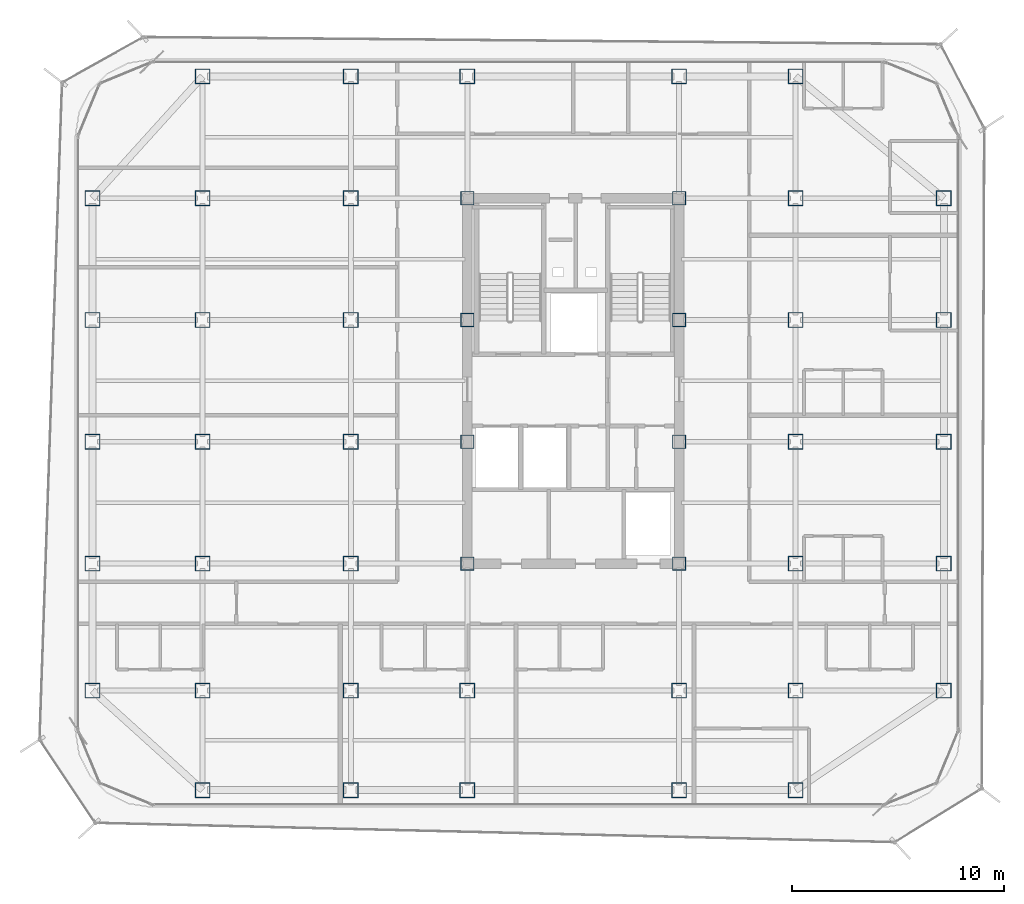
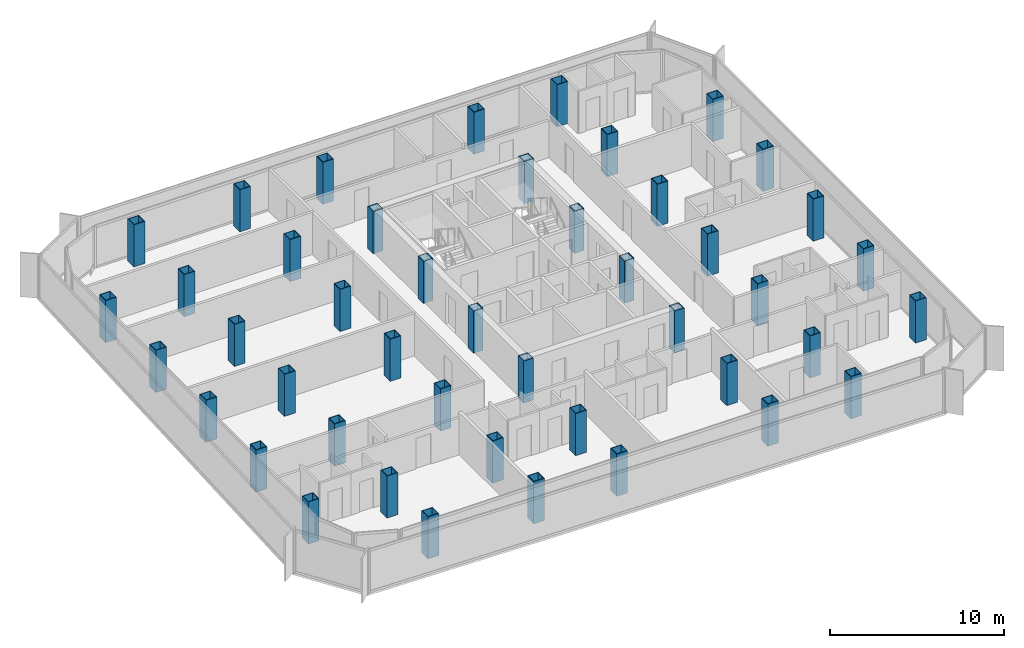
# One storey, part 1 of 15: 45 columns.
"""IFC4 building model written with IfcOpenShell, lengths in metres."""

import ifcopenshell
import ifcopenshell.guid

model = None  # the IFC model being written
_history = None  # IfcOwnerHistory: only IFC2X3 demands one
_inside = {}  # id of a spatial element -> (the spatial element, [elements in it])
_under = {}  # id of a project, library or spatial element -> (it, [spatial elements below it])
_declared = {}  # id of a project -> (the project, [libraries it declares])
_typed = {}  # id of a type object -> (the type object, [elements of that type])
_made_of = {}  # id of a material, layer set ... -> (it, [elements and type objects made of it])


def new_model(schema):
    """Start an empty IFC model of exactly this schema.

    Asked for "IFC4X3", IfcOpenShell would pick the latest addendum, in which some entities
    have other attributes; the version numbers below select the first issue.
    IFC2X3 requires an IfcOwnerHistory on every rooted entity: one is made here for all.
    """
    global model, _history
    if schema == "IFC4X3":
        model = ifcopenshell.file(schema_version=(4, 3, 0, 0))
    else:
        model = ifcopenshell.file(schema=schema)
    _inside.clear()
    _under.clear()
    _declared.clear()
    _typed.clear()
    _made_of.clear()
    _history = None
    if model.schema == "IFC2X3":
        org = make("IfcOrganization", Name="unknown")
        user = make(
            "IfcPersonAndOrganization",
            ThePerson=make("IfcPerson", FamilyName="unknown"),
            TheOrganization=org,
        )
        app = make(
            "IfcApplication",
            ApplicationDeveloper=org,
            Version="unknown",
            ApplicationFullName="unknown",
            ApplicationIdentifier="unknown",
        )
        _history = make(
            "IfcOwnerHistory",
            OwningUser=user,
            OwningApplication=app,
            ChangeAction="ADDED",
            CreationDate=0,
        )
    return model


def make(cls, **values):
    """One entity of the class cls with the attributes given. An attribute that is None is left unset."""
    return model.create_entity(
        cls, **{name: value for name, value in values.items() if value is not None}
    )


def rooted(cls, **values):
    """An entity with a GlobalId (a new one), such as an element, a storey or a relation."""
    return make(cls, GlobalId=ifcopenshell.guid.new(), OwnerHistory=_history, **values)


def si_unit(unit_type, name, prefix=None):
    """IfcSIUnit, for example si_unit("LENGTHUNIT", "METRE", prefix="MILLI")."""
    return make("IfcSIUnit", UnitType=unit_type, Prefix=prefix, Name=name)


def assignment(units):
    """IfcUnitAssignment: the units of a project."""
    return None if units is None else make("IfcUnitAssignment", Units=units)


def point(xyz):
    """IfcCartesianPoint."""
    return None if xyz is None else make("IfcCartesianPoint", Coordinates=xyz)


def direction(xyz):
    """IfcDirection."""
    return None if xyz is None else make("IfcDirection", DirectionRatios=xyz)


def frame(location, z_axis=None, x_axis=None):
    """IfcAxis2Placement3D, a coordinate frame: its origin and axes. An axis left out is left unset."""
    return make(
        "IfcAxis2Placement3D",
        Location=point(location),
        Axis=direction(z_axis),
        RefDirection=direction(x_axis),
    )


def frame_2d(location, x_axis=None):
    """IfcAxis2Placement2D, a coordinate frame in the plane: its origin and x axis."""
    return make(
        "IfcAxis2Placement2D", Location=point(location), RefDirection=direction(x_axis)
    )


def origin():
    """The frame at (0, 0, 0) with its axes left unset."""
    return frame((0.0, 0.0, 0.0))


def origin_2d():
    """The frame at (0, 0) in the plane with its x axis left unset."""
    return frame_2d((0.0, 0.0))


def place(relative_to, where):
    """IfcLocalPlacement: puts the frame where relative to a parent placement (None: the world)."""
    return make(
        "IfcLocalPlacement", PlacementRelTo=relative_to, RelativePlacement=where
    )


def context(
    kind, dimensions, precision=None, world=None, true_north=None, identifier=None
):
    """IfcGeometricRepresentationContext, for example the 3D "Model" context."""
    return make(
        "IfcGeometricRepresentationContext",
        ContextIdentifier=identifier,
        ContextType=kind,
        CoordinateSpaceDimension=dimensions,
        Precision=precision,
        WorldCoordinateSystem=world,
        TrueNorth=true_north,
    )


def subcontext(parent, identifier, kind, view, scale=None):
    """IfcGeometricRepresentationSubContext, for example "Body" below "Model"."""
    return make(
        "IfcGeometricRepresentationSubContext",
        ContextIdentifier=identifier,
        ContextType=kind,
        ParentContext=parent,
        TargetScale=scale,
        TargetView=view,
    )


def project(units=None, contexts=None):
    """IfcProject with its units and contexts."""
    return rooted(
        "IfcProject",
        Name="project",
        RepresentationContexts=contexts,
        UnitsInContext=assignment(units),
    )


def spatial(cls, under=None, at=None, **own):
    """A site, building, storey or space (cls), placed at a placement, below another one or the project."""
    s = rooted(cls, ObjectPlacement=at, **own)
    if under is not None:
        _under.setdefault(under.id(), (under, []))[1].append(s)
    return s


def profile(cls, at=None, kind="AREA", **sizes):
    """A parametric profile (cls). Its sizes go by their IFC names, for example OverallWidth=200.0."""
    return make(cls, ProfileType=kind, Position=at, **sizes)


def hollow_rectangle(**sizes):
    """IfcRectangleHollowProfileDef."""
    return profile("IfcRectangleHollowProfileDef", **sizes)


def extrude(swept, where, along, depth):
    """IfcExtrudedAreaSolid: the profile swept, set in the frame where, extruded along a direction by depth."""
    return make(
        "IfcExtrudedAreaSolid",
        SweptArea=swept,
        Position=where,
        ExtrudedDirection=direction(along),
        Depth=depth,
    )


def shape(context_of_items, identifier, shape_type, items):
    """IfcShapeRepresentation: the items that make up one representation, for example the "Body"."""
    return make(
        "IfcShapeRepresentation",
        ContextOfItems=context_of_items,
        RepresentationIdentifier=identifier,
        RepresentationType=shape_type,
        Items=items,
    )


def source(mapping_origin, context_of_items, identifier, shape_type, items):
    """IfcRepresentationMap: a shape defined once, which mapped items show again and again."""
    return make(
        "IfcRepresentationMap",
        MappingOrigin=mapping_origin,
        MappedRepresentation=shape(context_of_items, identifier, shape_type, items),
    )


def transform(
    local_origin,
    x_axis=None,
    y_axis=None,
    z_axis=None,
    scale=None,
    scale2=None,
    scale3=None,
    uniform=True,
):
    """IfcCartesianTransformationOperator3D, or its non-uniform kind. x_axis, y_axis, z_axis: its Axis1, 2, 3."""
    if uniform:
        return make(
            "IfcCartesianTransformationOperator3D",
            Axis1=direction(x_axis),
            Axis2=direction(y_axis),
            LocalOrigin=point(local_origin),
            Scale=scale,
            Axis3=direction(z_axis),
        )
    return make(
        "IfcCartesianTransformationOperator3DnonUniform",
        Axis1=direction(x_axis),
        Axis2=direction(y_axis),
        LocalOrigin=point(local_origin),
        Scale=scale,
        Axis3=direction(z_axis),
        Scale2=scale2,
        Scale3=scale3,
    )


def mapped(mapping_source, mapping_target):
    """IfcMappedItem: shows the shape of a source again, moved by a transform."""
    return make(
        "IfcMappedItem", MappingSource=mapping_source, MappingTarget=mapping_target
    )


def material(Name=None, Category=None):
    """IfcMaterial."""
    return make("IfcMaterial", Name=Name, Category=Category)


def material_profile(
    of_material, cross_section, Name=None, Category=None, Priority=None
):
    """IfcMaterialProfile: a cross section and its material."""
    return make(
        "IfcMaterialProfile",
        Name=Name,
        Material=of_material,
        Profile=cross_section,
        Priority=Priority,
        Category=Category,
    )


def profile_set(profiles, Name=None, composite=None):
    """IfcMaterialProfileSet."""
    return make(
        "IfcMaterialProfileSet",
        Name=Name,
        MaterialProfiles=profiles,
        CompositeProfile=composite,
    )


def made_of(thing, what):
    """Note that an element or type object is made of a material, layer set ...; save() writes the relation."""
    if what is not None:
        _made_of.setdefault(what.id(), (what, []))[1].append(thing)
    return thing


def type_object(cls, material=None, **own):
    """A type object (cls), such as IfcWallType, which elements share."""
    return made_of(rooted(cls, **own), material)


def element(
    cls,
    number,
    at=None,
    inside=None,
    cuts=None,
    type_object=None,
    material=None,
    context=None,
    identifier="Body",
    shape_type=None,
    held_by="IfcProductDefinitionShape",
    body=None,
    shapes=None,
    **own,
):
    """One element of the class cls, such as IfcWall. Its Tag is "e" and its number.

    at: its placement. inside: the storey or other place that contains it. cuts: it is an
    opening in that element (IfcRelVoidsElement). A single representation is given by context,
    identifier, shape_type and body (its items); several are given by shapes. held_by: the class
    of the entity that holds the representations. save() writes the other relations.
    """
    e = rooted(cls, Tag="e%d" % number, ObjectPlacement=at, **own)
    if body is not None:
        shapes = [shape(context, identifier, shape_type, body)]
    if shapes is not None:
        e.Representation = make(held_by, Representations=shapes)
    if inside is not None:
        _inside.setdefault(inside.id(), (inside, []))[1].append(e)
    if cuts is not None:
        rooted(
            "IfcRelVoidsElement", RelatingBuildingElement=cuts, RelatedOpeningElement=e
        )
    if type_object is not None:
        _typed.setdefault(type_object.id(), (type_object, []))[1].append(e)
    return made_of(e, material)


def aggregate(whole, parts):
    """IfcRelAggregates: a whole, such as a stair, and the parts it consists of."""
    return rooted("IfcRelAggregates", RelatingObject=whole, RelatedObjects=parts)


def save(model, path):
    """Write the relations noted so far, then the file.

    IfcRelAggregates (storeys below a building ...), IfcRelContainedInSpatialStructure (elements
    in a storey), IfcRelDefinesByType, IfcRelAssociatesMaterial and IfcRelDeclares: one each for
    every whole, place, type object, material and project.
    """
    for whole, parts in _under.values():
        aggregate(whole, parts)
    for where, things in _inside.values():
        rooted(
            "IfcRelContainedInSpatialStructure",
            RelatedElements=things,
            RelatingStructure=where,
        )
    for kind, things in _typed.values():
        rooted("IfcRelDefinesByType", RelatedObjects=things, RelatingType=kind)
    for what, things in _made_of.values():
        rooted("IfcRelAssociatesMaterial", RelatedObjects=things, RelatingMaterial=what)
    for by, libraries in _declared.values():
        rooted("IfcRelDeclares", RelatingContext=by, RelatedDefinitions=libraries)
    model.write(path)


model = new_model("IFC4")

# Units and contexts
model_context = context("Model", 3, precision=1e-05, world=origin(), true_north=direction((0.0, 1.0)))
body_context = subcontext(model_context, "Body", "Model", "MODEL_VIEW")
ifc_project = project(units=[si_unit("LENGTHUNIT", "METRE"), si_unit("AREAUNIT", "SQUARE_METRE"), si_unit("VOLUMEUNIT", "CUBIC_METRE"), si_unit("PLANEANGLEUNIT", "RADIAN"), si_unit("MASSUNIT", "GRAM", prefix="KILO")], contexts=[model_context])

# Site, building, storey
site_placement = place(None, origin())
site = spatial("IfcSite", under=ifc_project, at=site_placement, CompositionType="ELEMENT")
building_placement = place(site_placement, origin())
building = spatial("IfcBuilding", under=site, at=building_placement, Name="Kolveth Station Tower", CompositionType="ELEMENT")
storey_placement = place(building_placement, frame((0.0, 0.0, 165.699951171875)))
storey = spatial("IfcBuildingStorey", under=building, at=storey_placement, Name="L46", CompositionType="ELEMENT", Elevation=165.699951171875)

# Columns
ifc_material = material(Name="Steel S355", Category="steel")
ifc_material_profile_1 = material_profile(ifc_material, hollow_rectangle(XDim=0.719970703125, YDim=0.719970703125, WallThickness=0.0400390625, at=origin_2d()), Name="BOX720x720x40")
ifc_profile_set_1 = profile_set([ifc_material_profile_1], Name="Steel S355")
column_type_1 = type_object("IfcColumnType", Name="Col_C6", PredefinedType="COLUMN", material=ifc_profile_set_1)
shared_shape_1 = source(origin(), body_context, "Body", "SweptSolid", [
    extrude(hollow_rectangle(XDim=0.719970703125, YDim=0.719970703125, WallThickness=0.0400390625, at=origin_2d()), origin(), (0.0, 0.0, 1.0), 2.949951171875),
])
for number, where, z_axis, x_axis, name in (
    (1, (6.0, 0.800048828125, 0.0), (0.0, 0.0, 1.0), (1.0, 0.0, 0.0), "L46 Tower Column S-X60"),
    (2, (6.0, 34.5, 0.0), (0.0, 0.0, 1.0), (1.0, 0.0, 0.0), "L46 Tower Column N-X60"),
    (3, (13.0, 0.800048828125, 0.0), (0.0, 0.0, 1.0), (1.0, 0.0, 0.0), "L46 Tower Column S-X130"),
    (4, (13.0, 34.5, 0.0), (0.0, 0.0, 1.0), (1.0, 0.0, 0.0), "L46 Tower Column N-X130"),
    (5, (18.5, 0.800048828125, 0.0), (0.0, 0.0, 1.0), (1.0, 0.0, 0.0), "L46 Tower Column S-X185"),
    (6, (18.5, 34.5, 0.0), (0.0, 0.0, 1.0), (1.0, 0.0, 0.0), "L46 Tower Column N-X185"),
    (7, (28.5, 0.800048828125, 0.0), (0.0, 0.0, 1.0), (1.0, 0.0, 0.0), "L46 Tower Column S-X285"),
    (8, (28.5, 34.5, 0.0), (0.0, 0.0, 1.0), (1.0, 0.0, 0.0), "L46 Tower Column N-X285"),
    (9, (34.0, 0.800048828125, 0.0), (0.0, 0.0, 1.0), (1.0, 0.0, 0.0), "L46 Tower Column S-X340"),
    (10, (34.0, 34.5, 0.0), (0.0, 0.0, 1.0), (1.0, 0.0, 0.0), "L46 Tower Column N-X340"),
    (11, (0.800048828125, 5.5, 0.0), (0.0, 0.0, 1.0), (1.0, 0.0, 0.0), "L46 Tower Column W-Y55"),
    (12, (41.0, 5.5, 0.0), (0.0, 0.0, 1.0), (1.0, 0.0, 0.0), "L46 Tower Column E-Y55"),
    (13, (0.800048828125, 11.5, 0.0), (0.0, 0.0, 1.0), (1.0, 0.0, 0.0), "L46 Tower Column W-Y115"),
    (14, (41.0, 11.5, 0.0), (0.0, 0.0, 1.0), (1.0, 0.0, 0.0), "L46 Tower Column E-Y115"),
    (15, (0.800048828125, 17.25, 0.0), (0.0, 0.0, 1.0), (1.0, 0.0, 0.0), "L46 Tower Column W-Y172"),
    (16, (41.0, 17.25, 0.0), (0.0, 0.0, 1.0), (1.0, 0.0, 0.0), "L46 Tower Column E-Y172"),
    (17, (0.800048828125, 23.0, 0.0), (0.0, 0.0, 1.0), (1.0, 0.0, 0.0), "L46 Tower Column W-Y230"),
    (18, (41.0, 23.0, 0.0), (0.0, 0.0, 1.0), (1.0, 0.0, 0.0), "L46 Tower Column E-Y230"),
    (19, (0.800048828125, 28.75, 0.0), (0.0, 0.0, 1.0), (1.0, 0.0, 0.0), "L46 Tower Column W-Y287"),
    (20, (41.0, 28.75, 0.0), (0.0, 0.0, 1.0), (1.0, 0.0, 0.0), "L46 Tower Column E-Y287"),
    (21, (6.0, 5.5, 0.0), (0.0, 0.0, 1.0), (1.0, 0.0, 0.0), "L46 Tower Column G-60-55"),
    (22, (6.0, 11.5, 0.0), (0.0, 0.0, 1.0), (1.0, 0.0, 0.0), "L46 Tower Column G-60-115"),
    (23, (6.0, 17.25, 0.0), (0.0, 0.0, 1.0), (1.0, 0.0, 0.0), "L46 Tower Column G-60-172"),
    (24, (6.0, 23.0, 0.0), (0.0, 0.0, 1.0), (1.0, 0.0, 0.0), "L46 Tower Column G-60-230"),
    (25, (6.0, 28.75, 0.0), (0.0, 0.0, 1.0), (1.0, 0.0, 0.0), "L46 Tower Column G-60-287"),
    (26, (13.0, 5.5, 0.0), (0.0, 0.0, 1.0), (1.0, 0.0, 0.0), "L46 Tower Column G-130-55"),
    (27, (13.0, 11.5, 0.0), (0.0, 0.0, 1.0), (1.0, 0.0, 0.0), "L46 Tower Column G-130-115"),
    (28, (13.0, 17.25, 0.0), (0.0, 0.0, 1.0), (1.0, 0.0, 0.0), "L46 Tower Column G-130-172"),
    (29, (13.0, 23.0, 0.0), (0.0, 0.0, 1.0), (1.0, 0.0, 0.0), "L46 Tower Column G-130-230"),
    (30, (13.0, 28.75, 0.0), (0.0, 0.0, 1.0), (1.0, 0.0, 0.0), "L46 Tower Column G-130-287"),
    (31, (18.5, 5.5, 0.0), (0.0, 0.0, 1.0), (1.0, 0.0, 0.0), "L46 Tower Column G-185-55"),
    (32, (28.5, 5.5, 0.0), (0.0, 0.0, 1.0), (1.0, 0.0, 0.0), "L46 Tower Column G-285-55"),
    (33, (34.0, 5.5, 0.0), (0.0, 0.0, 1.0), (1.0, 0.0, 0.0), "L46 Tower Column G-340-55"),
    (34, (34.0, 11.5, 0.0), (0.0, 0.0, 1.0), (1.0, 0.0, 0.0), "L46 Tower Column G-340-115"),
    (35, (34.0, 17.25, 0.0), (0.0, 0.0, 1.0), (1.0, 0.0, 0.0), "L46 Tower Column G-340-172"),
    (36, (34.0, 23.0, 0.0), (0.0, 0.0, 1.0), (1.0, 0.0, 0.0), "L46 Tower Column G-340-230"),
    (37, (34.0, 28.75, 0.0), (0.0, 0.0, 1.0), (1.0, 0.0, 0.0), "L46 Tower Column G-340-287"),
):
    element("IfcColumn", number, at=place(storey_placement, frame(where, z_axis=z_axis, x_axis=x_axis)), inside=storey, type_object=column_type_1, Name=name, PredefinedType="COLUMN", context=body_context, shape_type="MappedRepresentation", body=[
        mapped(shared_shape_1, transform((0.0, 0.0, 0.0), x_axis=(1.0, 0.0, 0.0), y_axis=(0.0, 1.0, 0.0), z_axis=(0.0, 0.0, 1.0), scale=1.0)),
    ])
ifc_material_profile_2 = material_profile(ifc_material, hollow_rectangle(XDim=0.639892578125, YDim=0.639892578125, WallThickness=0.034912109375, at=origin_2d()), Name="BOX640x640x35")
ifc_profile_set_2 = profile_set([ifc_material_profile_2], Name="Steel S355")
column_type_2 = type_object("IfcColumnType", Name="Col_C7", PredefinedType="COLUMN", material=ifc_profile_set_2)
shared_shape_2 = source(origin(), body_context, "Body", "SweptSolid", [
    extrude(hollow_rectangle(XDim=0.639892578125, YDim=0.639892578125, WallThickness=0.034912109375, at=origin_2d()), origin(), (0.0, 0.0, 1.0), 2.949951171875),
])
for number, where, z_axis, x_axis, name in (
    (38, (18.5, 11.5, 0.0), (0.0, 0.0, 1.0), (1.0, 0.0, 0.0), "L46 Tower Column G-185-115"),
    (39, (18.5, 17.25, 0.0), (0.0, 0.0, 1.0), (1.0, 0.0, 0.0), "L46 Tower Column G-185-172"),
    (40, (18.5, 23.0, 0.0), (0.0, 0.0, 1.0), (1.0, 0.0, 0.0), "L46 Tower Column G-185-230"),
    (41, (18.5, 28.75, 0.0), (0.0, 0.0, 1.0), (1.0, 0.0, 0.0), "L46 Tower Column G-185-287"),
    (42, (28.5, 11.5, 0.0), (0.0, 0.0, 1.0), (1.0, 0.0, 0.0), "L46 Tower Column G-285-115"),
    (43, (28.5, 17.25, 0.0), (0.0, 0.0, 1.0), (1.0, 0.0, 0.0), "L46 Tower Column G-285-172"),
    (44, (28.5, 23.0, 0.0), (0.0, 0.0, 1.0), (1.0, 0.0, 0.0), "L46 Tower Column G-285-230"),
    (45, (28.5, 28.75, 0.0), (0.0, 0.0, 1.0), (1.0, 0.0, 0.0), "L46 Tower Column G-285-287"),
):
    element("IfcColumn", number, at=place(storey_placement, frame(where, z_axis=z_axis, x_axis=x_axis)), inside=storey, type_object=column_type_2, Name=name, PredefinedType="COLUMN", context=body_context, shape_type="MappedRepresentation", body=[
        mapped(shared_shape_2, transform((0.0, 0.0, 0.0), x_axis=(1.0, 0.0, 0.0), y_axis=(0.0, 1.0, 0.0), z_axis=(0.0, 0.0, 1.0), scale=1.0)),
    ])

save(model, "model.ifc")
